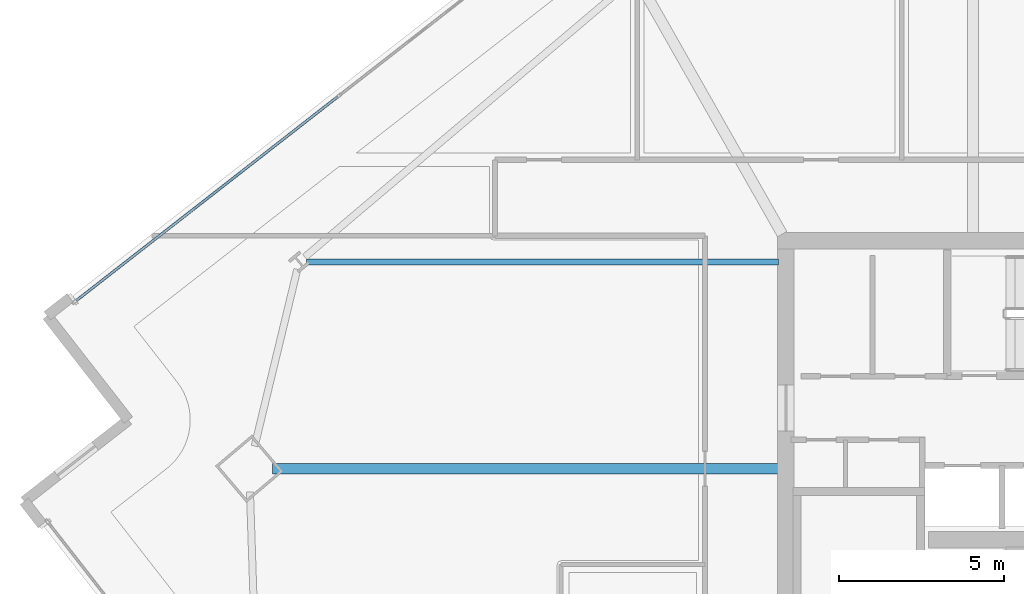
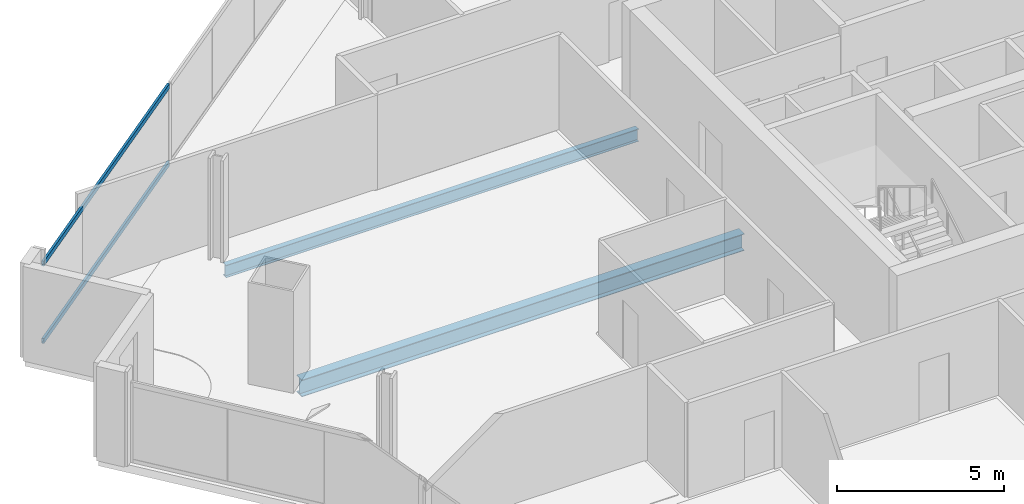
# One storey, part 13 of 32: 2 beams, 2 members, 1 element without a shape of its own.
"""IFC4 building model written with IfcOpenShell, lengths in metres."""

from ifc_helpers import new_model, si_unit, direction, frame, origin, origin_2d, place, context, subcontext, project, spatial, hollow_rectangle, i_section, extrude, material, material_profile, profile_set, type_object, element, aggregate, save


model = new_model("IFC4")

# Units and contexts
model_context = context("Model", 3, precision=1e-05, world=origin(), true_north=direction((0.0, 1.0)))
body_context = subcontext(model_context, "Body", "Model", "MODEL_VIEW")
ifc_project = project(units=[si_unit("LENGTHUNIT", "METRE"), si_unit("AREAUNIT", "SQUARE_METRE"), si_unit("VOLUMEUNIT", "CUBIC_METRE"), si_unit("PLANEANGLEUNIT", "RADIAN"), si_unit("MASSUNIT", "GRAM", prefix="KILO")], contexts=[model_context])

# Site, building, storey
site_placement = place(None, origin())
site = spatial("IfcSite", under=ifc_project, at=site_placement, CompositionType="ELEMENT")
building_placement = place(site_placement, origin())
building = spatial("IfcBuilding", under=site, at=building_placement, Name="Haldenkirk Collegiate Tower", CompositionType="ELEMENT")
storey_placement = place(building_placement, frame((0.0, 0.0, 155.699951171875)))
storey = spatial("IfcBuildingStorey", under=building, at=storey_placement, Name="L38", CompositionType="ELEMENT", Elevation=155.699951171875)

# Beams
ifc_material_1 = material(Name="Steel ASTM A992 Grade 50", Category="steel")
ifc_material_profile_1 = material_profile(ifc_material_1, i_section(OverallWidth=0.324951171875, OverallDepth=0.615966796875, WebThickness=0.013916015625, FlangeThickness=0.021484375, at=origin_2d()), Name="W24X117")
ifc_profile_set_1 = profile_set([ifc_material_profile_1], Name="Steel ASTM A992 Grade 50")
beam_type_1 = type_object("IfcBeamType", Name="BM-GIRDER-W24X117", PredefinedType="BEAM", material=ifc_profile_set_1)
beam_1_placement = place(storey_placement, frame((11.466064453125, 27.103759765625, -0.597900390625), z_axis=(1.0, 0.0, 0.0), x_axis=(0.0, 1.0, 0.0)))
element("IfcBeam", 1, at=beam_1_placement, inside=storey, type_object=beam_type_1, Name="L38 primary floor girder 04", PredefinedType="BEAM", context=body_context, shape_type="SweptSolid", body=[
    extrude(i_section(OverallWidth=0.324951171875, OverallDepth=0.615966796875, WebThickness=0.013916015625, FlangeThickness=0.021484375, at=origin_2d()), origin(), (0.0, 0.0, 1.0), 15.303955078125),
])
ifc_material_profile_2 = material_profile(ifc_material_1, i_section(OverallWidth=0.18994140625, OverallDepth=0.45703125, WebThickness=0.009033203125, FlangeThickness=0.014404296875, at=origin_2d()), Name="W18X50")
ifc_profile_set_2 = profile_set([ifc_material_profile_2], Name="Steel ASTM A992 Grade 50")
beam_type_2 = type_object("IfcBeamType", Name="BM-JOIST-W18X50", PredefinedType="JOIST", material=ifc_profile_set_2)
beam_2_placement = place(storey_placement, frame((12.4990234375, 33.360107421875, -0.5185546875), z_axis=(1.0, 0.0, 0.0), x_axis=(0.0, 1.0, 0.0)))
element("IfcBeam", 2, at=beam_2_placement, inside=storey, type_object=beam_type_2, Name="L38 composite floor joist 13", PredefinedType="JOIST", context=body_context, shape_type="SweptSolid", body=[
    extrude(i_section(OverallWidth=0.18994140625, OverallDepth=0.45703125, WebThickness=0.009033203125, FlangeThickness=0.014404296875, at=origin_2d()), origin(), (0.0, 0.0, 1.0), 14.27099609375),
])

# Curtain wall, members
ifc_material_2 = material(Name="Anodised architectural bronze aluminium", Category="aluminium")
curtain_wall_type = type_object("IfcCurtainWallType", Name="CW-SYS1-CONVEX-LOW", PredefinedType="USERDEFINED", material=ifc_material_2)
curtain_wall_placement = place(storey_placement, origin())
curtain_wall = element("IfcCurtainWall", 3, at=curtain_wall_placement, inside=storey, type_object=curtain_wall_type, Name="L38 Lower tower convex bronze-framed unitised curtain wall", ObjectType="UNITISED CURTAIN WALL", PredefinedType="USERDEFINED")
ifc_material_profile_3 = material_profile(ifc_material_2, hollow_rectangle(XDim=0.080078125, YDim=0.179931640625, WallThickness=0.0048828125, at=origin_2d()), Name="CW-TRN-1A")
ifc_profile_set_3 = profile_set([ifc_material_profile_3], Name="Anodised architectural bronze aluminium")
member_type = type_object("IfcMemberType", Name="CW-TRN-1A", PredefinedType="USERDEFINED", material=ifc_profile_set_3)
member_1_placement = place(storey_placement, frame((5.52978515625, 32.19091796875, 0.0400390625), z_axis=(0.788559908021, 0.61495794284, 0.0), x_axis=(-0.61495794284, 0.788559908021, 0.0)))
member_1 = element("IfcMember", 4, at=member_1_placement, type_object=member_type, Name="CW-1A transom 1.1", ObjectType="TRANSOM", PredefinedType="USERDEFINED", context=body_context, shape_type="SweptSolid", body=[
    extrude(hollow_rectangle(XDim=0.080078125, YDim=0.179931640625, WallThickness=0.0048828125, at=origin_2d()), origin(), (0.0, 0.0, 1.0), 10.02978515625),
])
member_2_placement = place(storey_placement, frame((5.52978515625, 32.19091796875, 2.87109375), z_axis=(0.788559908021, 0.61495794284, 0.0), x_axis=(-0.61495794284, 0.788559908021, 0.0)))
member_2 = element("IfcMember", 5, at=member_2_placement, type_object=member_type, Name="CW-1A transom 1.2", ObjectType="TRANSOM", PredefinedType="USERDEFINED", context=body_context, shape_type="SweptSolid", body=[
    extrude(hollow_rectangle(XDim=0.080078125, YDim=0.179931640625, WallThickness=0.0048828125, at=origin_2d()), origin(), (0.0, 0.0, 1.0), 10.02978515625),
])
aggregate(curtain_wall, [member_1, member_2])

save(model, "model.ifc")
